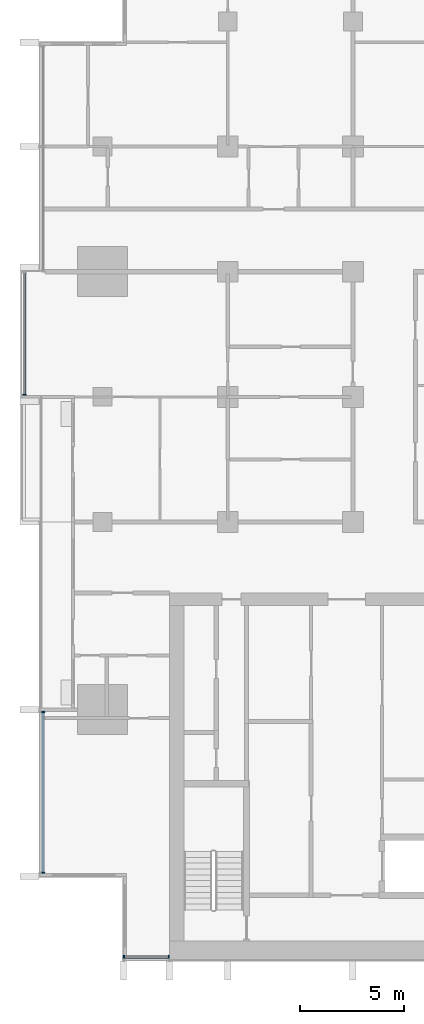
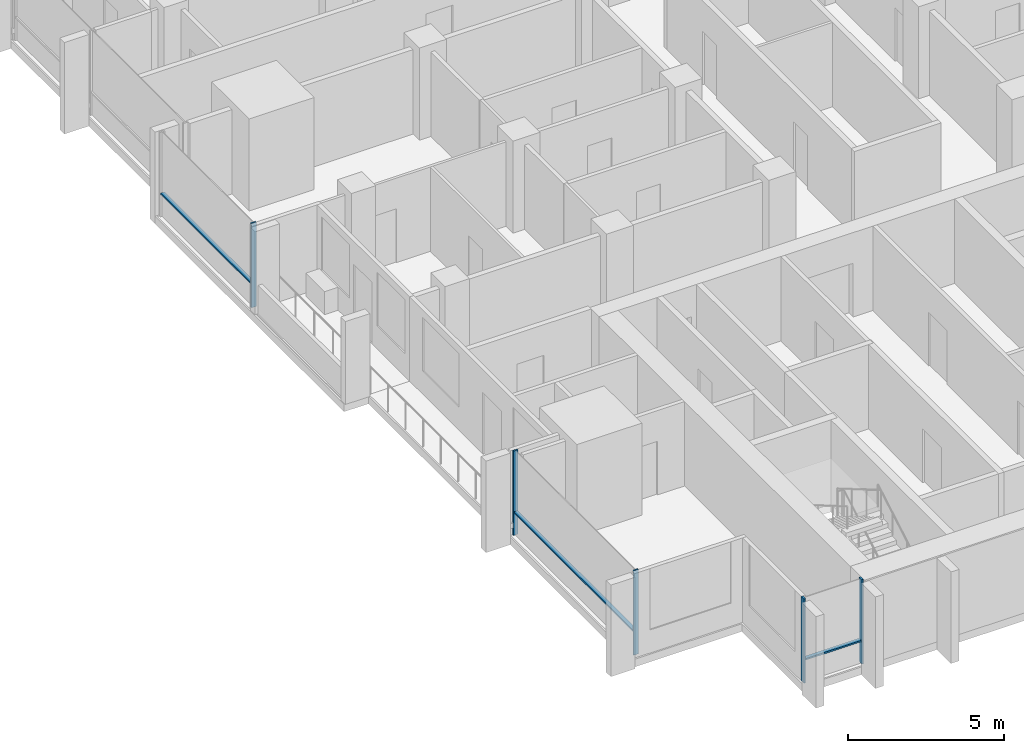
# One storey, part 2 of 17: 8 members, 3 elements without a shape of their own.
"""IFC4 building model written with IfcOpenShell, lengths in metres."""

from ifc_helpers import new_model, si_unit, direction, frame, origin, origin_2d, place, context, subcontext, project, spatial, rectangle, extrude, material, material_profile, profile_set, type_object, element, aggregate, save


model = new_model("IFC4")

# Units and contexts
model_context = context("Model", 3, precision=1e-05, world=origin(), true_north=direction((0.0, 1.0)))
body_context = subcontext(model_context, "Body", "Model", "MODEL_VIEW")
ifc_project = project(units=[si_unit("LENGTHUNIT", "METRE"), si_unit("AREAUNIT", "SQUARE_METRE"), si_unit("VOLUMEUNIT", "CUBIC_METRE"), si_unit("PLANEANGLEUNIT", "RADIAN"), si_unit("MASSUNIT", "GRAM", prefix="KILO")], contexts=[model_context])

# Site, building, storey
site_placement = place(None, origin())
site = spatial("IfcSite", under=ifc_project, at=site_placement, CompositionType="ELEMENT")
building_placement = place(site_placement, origin())
building = spatial("IfcBuilding", under=site, at=building_placement, Name="Finial Court Residences", CompositionType="ELEMENT")
storey_placement = place(building_placement, frame((0.0, 0.0, 174.5)))
storey = spatial("IfcBuildingStorey", under=building, at=storey_placement, Name="L43", CompositionType="ELEMENT", Elevation=174.5)

# Curtain wall, members
ifc_material = material(Name="Bronze anodised aluminium", Category="aluminium")
curtain_wall_type = type_object("IfcCurtainWallType", Name="Unitised curtain wall, upper zones", PredefinedType="NOTDEFINED", material=ifc_material)
curtain_wall_1_placement = place(storey_placement, origin())
curtain_wall_1 = element("IfcCurtainWall", 1, at=curtain_wall_1_placement, inside=storey, type_object=curtain_wall_type, Name="E-L43-CW-S7", PredefinedType="NOTDEFINED")
ifc_material_profile_1 = material_profile(ifc_material, rectangle(XDim=0.175048828125, YDim=0.06005859375, at=origin_2d()), Name="CW2 mullion 60 x 175")
ifc_profile_set_1 = profile_set([ifc_material_profile_1], Name="Bronze anodised aluminium")
member_type_1 = type_object("IfcMemberType", Name="CW2 mullion 60 x 175", PredefinedType="MULLION", material=ifc_profile_set_1)
member_1_placement = place(storey_placement, frame((-15.469970703125, -25.35009765625, 0.0), z_axis=(0.0, 0.0, 1.0), x_axis=(0.0, 1.0, 0.0)))
member_1 = element("IfcMember", 2, at=member_1_placement, type_object=member_type_1, Name="CW2 mullion 1", PredefinedType="MULLION", context=body_context, shape_type="SweptSolid", body=[
    extrude(rectangle(XDim=0.175048828125, YDim=0.06005859375, at=origin_2d()), origin(), (0.0, 0.0, 1.0), 3.300048828125),
])
member_2_placement = place(storey_placement, frame((-13.330078125, -25.35009765625, 0.0), z_axis=(0.0, 0.0, 1.0), x_axis=(0.0, 1.0, 0.0)))
member_2 = element("IfcMember", 3, at=member_2_placement, type_object=member_type_1, Name="CW2 mullion 2", PredefinedType="MULLION", context=body_context, shape_type="SweptSolid", body=[
    extrude(rectangle(XDim=0.175048828125, YDim=0.06005859375, at=origin_2d()), origin(), (0.0, 0.0, 1.0), 3.300048828125),
])

curtain_wall_2_placement = place(storey_placement, origin())
curtain_wall_2 = element("IfcCurtainWall", 4, at=curtain_wall_2_placement, inside=storey, type_object=curtain_wall_type, Name="E-L43-CW-W9", PredefinedType="NOTDEFINED")
member_3_placement = place(storey_placement, frame((-19.35009765625, -21.320068359375, 0.0), z_axis=(0.0, 0.0, 1.0), x_axis=(-1.0, 0.0, 0.0)))
member_3 = element("IfcMember", 5, at=member_3_placement, type_object=member_type_1, Name="CW2 mullion 1", PredefinedType="MULLION", context=body_context, shape_type="SweptSolid", body=[
    extrude(rectangle(XDim=0.175048828125, YDim=0.06005859375, at=origin_2d()), origin(), (0.0, 0.0, 1.0), 3.300048828125),
])
member_4_placement = place(storey_placement, frame((-19.35009765625, -13.60498046875, 0.0), z_axis=(0.0, 0.0, 1.0), x_axis=(-1.0, 0.0, 0.0)))
member_4 = element("IfcMember", 6, at=member_4_placement, type_object=member_type_1, Name="CW2 mullion 2", PredefinedType="MULLION", context=body_context, shape_type="SweptSolid", body=[
    extrude(rectangle(XDim=0.175048828125, YDim=0.06005859375, at=origin_2d()), origin(), (0.0, 0.0, 1.0), 3.300048828125),
])

# Curtain wall, member
curtain_wall_3_placement = place(storey_placement, origin())
curtain_wall_3 = element("IfcCurtainWall", 7, at=curtain_wall_3_placement, inside=storey, type_object=curtain_wall_type, Name="E-L43-CW-W10", PredefinedType="NOTDEFINED")
member_5_placement = place(storey_placement, frame((-20.25, 1.60498046875, 0.0), z_axis=(0.0, 0.0, 1.0), x_axis=(-1.0, 0.0, 0.0)))
member_5 = element("IfcMember", 8, at=member_5_placement, type_object=member_type_1, Name="CW2 mullion 1", PredefinedType="MULLION", context=body_context, shape_type="SweptSolid", body=[
    extrude(rectangle(XDim=0.175048828125, YDim=0.06005859375, at=origin_2d()), origin(), (0.0, 0.0, 1.0), 3.300048828125),
])

# Member
ifc_material_profile_2 = material_profile(ifc_material, rectangle(XDim=0.139892578125, YDim=0.06005859375, at=origin_2d()), Name="CW2 transom 60 x 140")
ifc_profile_set_2 = profile_set([ifc_material_profile_2], Name="Bronze anodised aluminium")
member_type_2 = type_object("IfcMemberType", Name="CW2 transom 60 x 140", PredefinedType="USERDEFINED", material=ifc_profile_set_2)
member_6_placement = place(storey_placement, frame((-15.43994140625, -25.35009765625, 0.89990234375), z_axis=(1.0, 0.0, 0.0), x_axis=(0.0, 1.0, 0.0)))
member_6 = element("IfcMember", 9, at=member_6_placement, type_object=member_type_2, Name="CW2 transom 1.1", ObjectType="TRANSOM", PredefinedType="USERDEFINED", context=body_context, shape_type="SweptSolid", body=[
    extrude(rectangle(XDim=0.139892578125, YDim=0.06005859375, at=origin_2d()), origin(), (0.0, 0.0, 1.0), 2.079833984375),
])

aggregate(curtain_wall_1, [member_1, member_2, member_6])

member_7_placement = place(storey_placement, frame((-19.35009765625, -21.2900390625, 0.89990234375), z_axis=(0.0, 1.0, 0.0), x_axis=(-1.0, 0.0, 0.0)))
member_7 = element("IfcMember", 10, at=member_7_placement, type_object=member_type_2, Name="CW2 transom 1.1", ObjectType="TRANSOM", PredefinedType="USERDEFINED", context=body_context, shape_type="SweptSolid", body=[
    extrude(rectangle(XDim=0.139892578125, YDim=0.06005859375, at=origin_2d()), origin(), (0.0, 0.0, 1.0), 7.655029296875),
])

aggregate(curtain_wall_2, [member_3, member_4, member_7])

member_8_placement = place(storey_placement, frame((-20.25, 1.635009765625, 0.89990234375), z_axis=(0.0, 1.0, 0.0), x_axis=(-1.0, 0.0, 0.0)))
member_8 = element("IfcMember", 11, at=member_8_placement, type_object=member_type_2, Name="CW2 transom 1.1", ObjectType="TRANSOM", PredefinedType="USERDEFINED", context=body_context, shape_type="SweptSolid", body=[
    extrude(rectangle(XDim=0.139892578125, YDim=0.06005859375, at=origin_2d()), origin(), (0.0, 0.0, 1.0), 5.804931640625),
])

aggregate(curtain_wall_3, [member_5, member_8])

save(model, "model.ifc")
